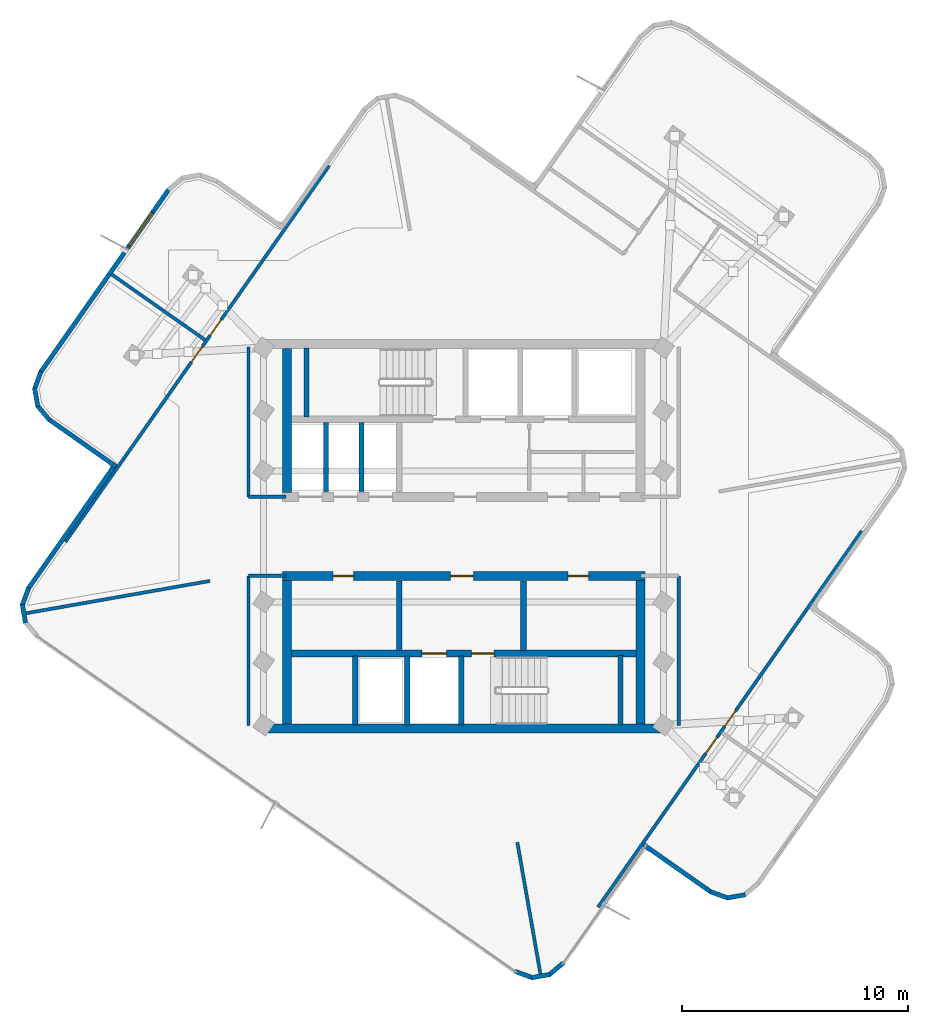
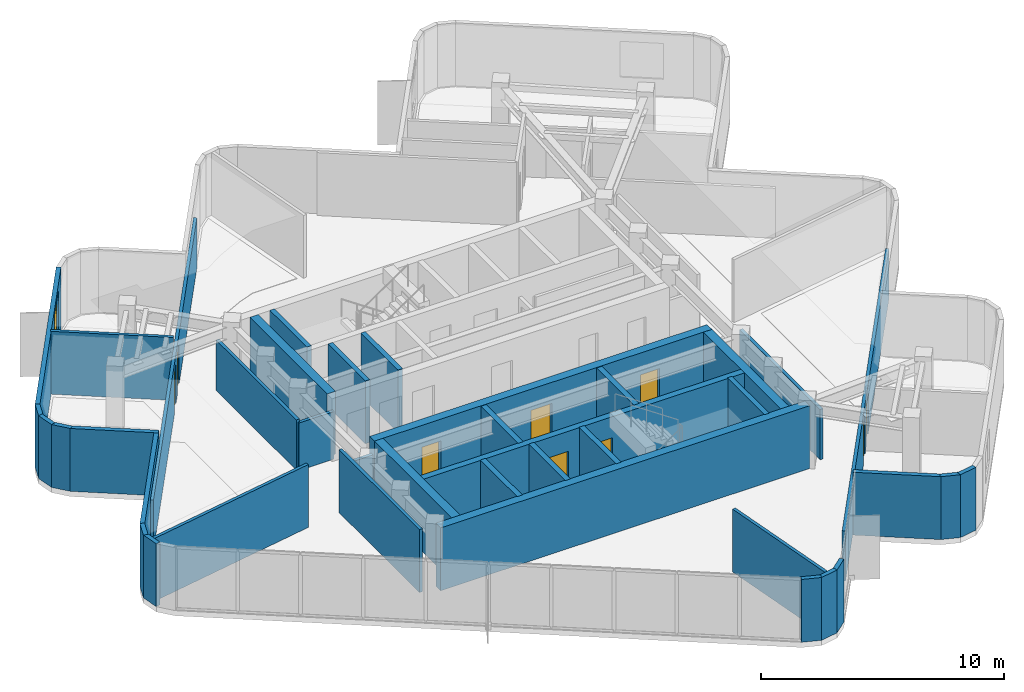
# One storey, part 4 of 8: 39 walls, 9 doors, 1 window, 10 openings.
"""IFC4 building model written with IfcOpenShell, lengths in metres."""

from ifc_helpers import new_model, si_unit, direction, frame, frame_2d, origin, place, context, subcontext, project, spatial, rectangle, extrude, material, layer, layer_set, type_object, element, fill, save


model = new_model("IFC4")

# Units and contexts
model_context = context("Model", 3, precision=1e-05, world=origin(), true_north=direction((0.0, 1.0)))
body_context = subcontext(model_context, "Body", "Model", "MODEL_VIEW")
ifc_project = project(units=[si_unit("LENGTHUNIT", "METRE"), si_unit("AREAUNIT", "SQUARE_METRE"), si_unit("VOLUMEUNIT", "CUBIC_METRE"), si_unit("PLANEANGLEUNIT", "RADIAN"), si_unit("MASSUNIT", "GRAM", prefix="KILO")], contexts=[model_context])

# Site, building, storey
site_placement = place(None, origin())
site = spatial("IfcSite", under=ifc_project, at=site_placement, CompositionType="ELEMENT")
building_placement = place(site_placement, origin())
building = spatial("IfcBuilding", under=site, at=building_placement, Name="Solmarez Civic Tower", CompositionType="ELEMENT")
storey_placement = place(building_placement, frame((0.0, 0.0, 264.60009765625)))
storey = spatial("IfcBuildingStorey", under=building, at=storey_placement, Name="L71", CompositionType="ELEMENT", Elevation=264.60009765625)

# Walls
ifc_material_1 = material(Name="Concrete C50/60", Category="concrete")
ifc_layer_1 = layer(ifc_material_1, 0.39990234375)
ifc_layer_set_1 = layer_set([ifc_layer_1], Name="Concrete C50/60")
wall_type_1 = type_object("IfcWallType", Name="WALL-CORE-400", PredefinedType="SHEAR", material=ifc_layer_set_1)
wall_1_placement = place(storey_placement, frame((-7.820068359375, 1.949951171875, 0.0), z_axis=(0.0, 0.0, 1.0), x_axis=(0.0, 1.0, 0.0)))
element("IfcWall", 1, at=wall_1_placement, inside=storey, type_object=wall_type_1, Name="L71 Split-Core Structural Wall NCW-W-L71", PredefinedType="SHEAR", context=body_context, shape_type="SweptSolid", body=[
    extrude(rectangle(XDim=6.360107421875, YDim=0.39990234375, at=frame_2d((3.18017578125, 0.0))), origin(), (0.0, 0.0, 1.0), 3.159912109375),
])
wall_2_placement = place(storey_placement, frame((8.780029296875, -8.510009765625, 0.0), z_axis=(0.0, 0.0, 1.0), x_axis=(-1.0, 0.0, 0.0)))
element("IfcWall", 2, at=wall_2_placement, inside=storey, type_object=wall_type_1, Name="L71 Split-Core Structural Wall SCW-S-L71", PredefinedType="SHEAR", context=body_context, shape_type="SweptSolid", body=[
    extrude(rectangle(XDim=17.56005859375, YDim=0.39990234375, at=frame_2d((8.780029296875, 0.0))), origin(), (0.0, 0.0, 1.0), 3.159912109375),
])

# Wall, openings, doors
wall_3_placement = place(storey_placement, frame((-8.02001953125, -1.75, 0.0), z_axis=(0.0, 0.0, 1.0), x_axis=(1.0, 0.0, 0.0)))
wall_3 = element("IfcWall", 3, at=wall_3_placement, inside=storey, type_object=wall_type_1, Name="L71 Split-Core Structural Wall SCW-N-L71", PredefinedType="SHEAR", context=body_context, shape_type="SweptSolid", body=[
    extrude(rectangle(XDim=16.0400390625, YDim=0.39990234375, at=frame_2d((8.02001953125, 0.0))), origin(), (0.0, 0.0, 1.0), 3.159912109375),
])
opening_1_placement = place(wall_3_placement, frame((7.449951171875, 0.0, 0.0)))
opening_1 = element("IfcOpeningElement", 4, at=opening_1_placement, cuts=wall_3, Name="Opening D-04", PredefinedType="OPENING", context=body_context, shape_type="SweptSolid", body=[
    extrude(rectangle(XDim=1.0, YDim=2.10009765625, at=frame_2d((0.5, 1.050048828125))), frame((0.0, 0.2099609375, 0.0), z_axis=(0.0, -1.0, 0.0), x_axis=(1.0, 0.0, 0.0)), (0.0, 0.0, 1.0), 0.419921875),
])
opening_2_placement = place(wall_3_placement, frame((12.64990234375, 0.0, 0.0)))
opening_2 = element("IfcOpeningElement", 5, at=opening_2_placement, cuts=wall_3, Name="Opening D-09", PredefinedType="OPENING", context=body_context, shape_type="SweptSolid", body=[
    extrude(rectangle(XDim=0.89990234375, YDim=2.06005859375, at=frame_2d((0.449951171875, 1.030029296875))), frame((0.0, 0.2099609375, 0.0), z_axis=(0.0, -1.0, 0.0), x_axis=(1.0, 0.0, 0.0)), (0.0, 0.0, 1.0), 0.419921875),
])
opening_3_placement = place(wall_3_placement, frame((2.25, 0.0, 0.0)))
opening_3 = element("IfcOpeningElement", 6, at=opening_3_placement, cuts=wall_3, Name="Opening D-09", PredefinedType="OPENING", context=body_context, shape_type="SweptSolid", body=[
    extrude(rectangle(XDim=0.89990234375, YDim=2.06005859375, at=frame_2d((0.449951171875, 1.030029296875))), frame((0.0, 0.2099609375, 0.0), z_axis=(0.0, -1.0, 0.0), x_axis=(1.0, 0.0, 0.0)), (0.0, 0.0, 1.0), 0.419921875),
])
ifc_material_2 = material(Name="Steel-Faced Acoustic Fire Door", Category="steel")
door_type_1 = type_object("IfcDoorType", Name="DOOR-FD60-1000", OperationType="NOTDEFINED", PredefinedType="DOOR", material=ifc_material_2)
door_1_placement = place(opening_1_placement, origin())
door_1 = element("IfcDoor", 7, at=door_1_placement, inside=storey, type_object=door_type_1, Name="L71 South Firefighting Lobby Door", OperationType="SINGLE_SWING_LEFT", OverallHeight=2.10009765625, OverallWidth=1.0, PredefinedType="DOOR", context=body_context, shape_type="SweptSolid", body=[
    extrude(rectangle(XDim=1.0, YDim=2.10009765625, at=frame_2d((0.5, 1.050048828125))), frame((0.0, 0.02490234375, 0.0), z_axis=(0.0, -1.0, 0.0), x_axis=(1.0, 0.0, 0.0)), (0.0, 0.0, 1.0), 0.050048828125),
])
fill(opening_1, door_1)
ifc_material_3 = material(Name="Fire-Rated Service Core Door", Category="wood")
door_type_2 = type_object("IfcDoorType", Name="DOOR-FD60-900", OperationType="NOTDEFINED", PredefinedType="DOOR", material=ifc_material_3)
door_2_placement = place(opening_2_placement, origin())
door_2 = element("IfcDoor", 8, at=door_2_placement, inside=storey, type_object=door_type_2, Name="L71 Freed Hoistway Mailroom Door", OperationType="SINGLE_SWING_LEFT", OverallHeight=2.06005859375, OverallWidth=0.89990234375, PredefinedType="DOOR", context=body_context, shape_type="SweptSolid", body=[
    extrude(rectangle(XDim=0.89990234375, YDim=2.06005859375, at=frame_2d((0.449951171875, 1.030029296875))), frame((0.0, 0.02490234375, 0.0), z_axis=(0.0, -1.0, 0.0), x_axis=(1.0, 0.0, 0.0)), (0.0, 0.0, 1.0), 0.050048828125),
])
fill(opening_2, door_2)
door_3_placement = place(opening_3_placement, origin())
door_3 = element("IfcDoor", 9, at=door_3_placement, inside=storey, type_object=door_type_2, Name="L71 Delegation Tea Pantry Door", OperationType="SINGLE_SWING_RIGHT", OverallHeight=2.06005859375, OverallWidth=0.89990234375, PredefinedType="DOOR", context=body_context, shape_type="SweptSolid", body=[
    extrude(rectangle(XDim=0.89990234375, YDim=2.06005859375, at=frame_2d((0.449951171875, 1.030029296875))), frame((0.0, 0.02490234375, 0.0), z_axis=(0.0, -1.0, 0.0), x_axis=(1.0, 0.0, 0.0)), (0.0, 0.0, 1.0), 0.050048828125),
])
fill(opening_3, door_3)

# Walls
for number, where, z_axis, x_axis, name in (
    (10, (-7.820068359375, -8.31005859375, 0.0), (0.0, 0.0, 1.0), (0.0, 1.0, 0.0), "L71 Split-Core Structural Wall SCW-W-L71"),
    (11, (7.820068359375, -1.949951171875, 0.0), (0.0, 0.0, 1.0), (0.0, -1.0, 0.0), "L71 Split-Core Structural Wall SCW-E-L71"),
):
    element("IfcWall", number, at=place(storey_placement, frame(where, z_axis=z_axis, x_axis=x_axis)), inside=storey, type_object=wall_type_1, Name=name, PredefinedType="SHEAR", context=body_context, shape_type="SweptSolid", body=[
        extrude(rectangle(XDim=6.360107421875, YDim=0.39990234375, at=frame_2d((3.18017578125, 0.0))), origin(), (0.0, 0.0, 1.0), 3.159912109375),
    ])
ifc_material_4 = material(Name="Precast concrete C40/50", Category="concrete")
ifc_layer_2 = layer(ifc_material_4, 0.199951171875)
ifc_layer_set_2 = layer_set([ifc_layer_2], Name="Precast concrete C40/50")
wall_type_2 = type_object("IfcWallType", Name="WALL-EXT-200", PredefinedType="SOLIDWALL", material=ifc_layer_set_2)
wall_4_placement = place(storey_placement, frame((4.422119140625, -18.8720703125, 0.0), z_axis=(0.0, 0.0, 1.0), x_axis=(-0.766020352528, -0.642816318642, 0.0)))
element("IfcWall", 12, at=wall_4_placement, inside=storey, type_object=wall_type_2, Name="L71 Exterior Precast Wall 3", PredefinedType="SOLIDWALL", context=body_context, shape_type="SweptSolid", body=[
    extrude(rectangle(XDim=0.838134765625, YDim=0.199951171875, at=frame_2d((0.4189453125, 0.0))), origin(), (0.0, 0.0, 1.0), 3.159912109375),
])
wall_5_placement = place(storey_placement, frame((3.823974609375, -19.39111328125, 0.0), z_axis=(0.0, 0.0, 1.0), x_axis=(-0.985118245285, -0.171877988141, 0.0)))
element("IfcWall", 13, at=wall_5_placement, inside=storey, type_object=wall_type_2, Name="L71 Exterior Precast Wall 4", PredefinedType="SOLIDWALL", context=body_context, shape_type="SweptSolid", body=[
    extrude(rectangle(XDim=0.8251953125, YDim=0.199951171875, at=frame_2d((0.41259765625, 0.0))), origin(), (0.0, 0.0, 1.0), 3.159912109375),
])
wall_6_placement = place(storey_placement, frame((3.05908203125, -19.5380859375, 0.0), z_axis=(0.0, 0.0, 1.0), x_axis=(-0.938939131905, 0.344083284363, 0.0)))
element("IfcWall", 14, at=wall_6_placement, inside=storey, type_object=wall_type_2, Name="L71 Exterior Precast Wall 5", PredefinedType="SOLIDWALL", context=body_context, shape_type="SweptSolid", body=[
    extrude(rectangle(XDim=0.837158203125, YDim=0.199951171875, at=frame_2d((0.41845703125, 0.0))), origin(), (0.0, 0.0, 1.0), 3.159912109375),
])
wall_7_placement = place(storey_placement, frame((-19.39111328125, -3.823974609375, 0.0), z_axis=(0.0, 0.0, 1.0), x_axis=(-0.171877988141, 0.985118245285, 0.0)))
element("IfcWall", 15, at=wall_7_placement, inside=storey, type_object=wall_type_2, Name="L71 Exterior Precast Wall 8", PredefinedType="SOLIDWALL", context=body_context, shape_type="SweptSolid", body=[
    extrude(rectangle(XDim=0.8251953125, YDim=0.199951171875, at=frame_2d((0.41259765625, 0.0))), origin(), (0.0, 0.0, 1.0), 3.159912109375),
])
wall_8_placement = place(storey_placement, frame((-19.5380859375, -3.05908203125, 0.0), z_axis=(0.0, 0.0, 1.0), x_axis=(0.344083284363, 0.938939131905, 0.0)))
element("IfcWall", 16, at=wall_8_placement, inside=storey, type_object=wall_type_2, Name="L71 Exterior Precast Wall 9", PredefinedType="SOLIDWALL", context=body_context, shape_type="SweptSolid", body=[
    extrude(rectangle(XDim=0.837158203125, YDim=0.199951171875, at=frame_2d((0.41845703125, 0.0))), origin(), (0.0, 0.0, 1.0), 3.159912109375),
])
wall_9_placement = place(storey_placement, frame((-19.27294921875, -2.31591796875, 0.0), z_axis=(0.0, 0.0, 1.0), x_axis=(0.574227764949, 0.818695592978, 0.0)))
element("IfcWall", 17, at=wall_9_placement, inside=storey, type_object=wall_type_2, Name="L71 Exterior Precast Wall 10", PredefinedType="SOLIDWALL", context=body_context, shape_type="SweptSolid", body=[
    extrude(rectangle(XDim=6.740966796875, YDim=0.199951171875, at=frame_2d((3.37060546875, 0.0))), origin(), (0.0, 0.0, 1.0), 3.159912109375),
])
wall_10_placement = place(storey_placement, frame((-15.383056640625, 3.092041015625, 0.0), z_axis=(0.0, 0.0, 1.0), x_axis=(-0.818664531158, 0.574272048269, 0.0)))
element("IfcWall", 18, at=wall_10_placement, inside=storey, type_object=wall_type_2, Name="L71 Exterior Precast Wall 13", PredefinedType="SOLIDWALL", context=body_context, shape_type="SweptSolid", body=[
    extrude(rectangle(XDim=3.641357421875, YDim=0.199951171875, at=frame_2d((1.82080078125, 0.0))), origin(), (0.0, 0.0, 1.0), 3.159912109375),
])
wall_11_placement = place(storey_placement, frame((-18.327880859375, 5.14990234375, 0.0), z_axis=(0.0, 0.0, 1.0), x_axis=(-0.642303159159, 0.766450684477, 0.0)))
element("IfcWall", 19, at=wall_11_placement, inside=storey, type_object=wall_type_2, Name="L71 Exterior Precast Wall 14", PredefinedType="SOLIDWALL", context=body_context, shape_type="SweptSolid", body=[
    extrude(rectangle(XDim=0.837646484375, YDim=0.199951171875, at=frame_2d((0.4189453125, 0.0))), origin(), (0.0, 0.0, 1.0), 3.159912109375),
])
wall_12_placement = place(storey_placement, frame((-18.845947265625, 5.748046875, 0.0), z_axis=(0.0, 0.0, 1.0), x_axis=(-0.172165058078, 0.985068115806, 0.0)))
element("IfcWall", 20, at=wall_12_placement, inside=storey, type_object=wall_type_2, Name="L71 Exterior Precast Wall 15", PredefinedType="SOLIDWALL", context=body_context, shape_type="SweptSolid", body=[
    extrude(rectangle(XDim=0.8251953125, YDim=0.199951171875, at=frame_2d((0.41259765625, 0.0))), origin(), (0.0, 0.0, 1.0), 3.159912109375),
])
wall_13_placement = place(storey_placement, frame((-18.992919921875, 6.512939453125, 0.0), z_axis=(0.0, 0.0, 1.0), x_axis=(0.343449935769, 0.93917098636, 0.0)))
element("IfcWall", 21, at=wall_13_placement, inside=storey, type_object=wall_type_2, Name="L71 Exterior Precast Wall 16", PredefinedType="SOLIDWALL", context=body_context, shape_type="SweptSolid", body=[
    extrude(rectangle(XDim=0.838134765625, YDim=0.199951171875, at=frame_2d((0.4189453125, 0.0))), origin(), (0.0, 0.0, 1.0), 3.159912109375),
])

# Wall, opening, window
wall_14_placement = place(storey_placement, frame((-18.72802734375, 7.257080078125, 0.0), z_axis=(0.0, 0.0, 1.0), x_axis=(0.574152395536, 0.818748451419, 0.0)))
wall_14 = element("IfcWall", 22, at=wall_14_placement, inside=storey, type_object=wall_type_2, Name="L71 Exterior Precast Wall 17", PredefinedType="SOLIDWALL", context=body_context, shape_type="SweptSolid", body=[
    extrude(rectangle(XDim=9.922607421875, YDim=0.199951171875, at=frame_2d((4.96142578125, 0.0))), origin(), (0.0, 0.0, 1.0), 3.159912109375),
])
opening_4_placement = place(wall_14_placement, frame((6.840087890625, 0.0, 0.85009765625)))
opening_4 = element("IfcOpeningElement", 23, at=opening_4_placement, cuts=wall_14, Name="Opening W-04", PredefinedType="OPENING", context=body_context, shape_type="SweptSolid", body=[
    extrude(rectangle(XDim=1.800048828125, YDim=2.0, at=frame_2d((0.89990234375, 1.0))), frame((0.0, 0.10986328125, 0.0), z_axis=(0.0, -1.0, 0.0), x_axis=(1.0, 0.0, 0.0)), (0.0, 0.0, 1.0), 0.219970703125),
])
ifc_material_5 = material(Name="Solar Control Bronze-Tinted Insulating Glass", Category="glass")
window_type = type_object("IfcWindowType", Name="WIN-1800X2000", PartitioningType="SINGLE_PANEL", PredefinedType="WINDOW", material=ifc_material_5)
window_placement = place(opening_4_placement, origin())
window = element("IfcWindow", 24, at=window_placement, inside=storey, type_object=window_type, Name="L71 Exterior Facade Window 17", OverallHeight=2.0, OverallWidth=1.800048828125, PartitioningType="SINGLE_PANEL", PredefinedType="WINDOW", context=body_context, shape_type="SweptSolid", body=[
    extrude(rectangle(XDim=1.800048828125, YDim=2.0, at=frame_2d((0.89990234375, 1.0))), frame((0.0, 0.030029296875, 0.0), z_axis=(0.0, -1.0, 0.0), x_axis=(1.0, 0.0, 0.0)), (0.0, 0.0, 1.0), 0.06005859375),
])
fill(opening_4, window)

# Walls
wall_15_placement = place(storey_placement, frame((12.466064453125, -15.863037109375, 0.0), z_axis=(0.0, 0.0, 1.0), x_axis=(-0.985118245285, -0.171877988141, 0.0)))
element("IfcWall", 25, at=wall_15_placement, inside=storey, type_object=wall_type_2, Name="L71 Exterior Precast Wall 55", PredefinedType="SOLIDWALL", context=body_context, shape_type="SweptSolid", body=[
    extrude(rectangle(XDim=0.8251953125, YDim=0.199951171875, at=frame_2d((0.41259765625, 0.0))), origin(), (0.0, 0.0, 1.0), 3.159912109375),
])
wall_16_placement = place(storey_placement, frame((11.700927734375, -16.010009765625, 0.0), z_axis=(0.0, 0.0, 1.0), x_axis=(-0.939042573482, 0.343800880145, 0.0)))
element("IfcWall", 26, at=wall_16_placement, inside=storey, type_object=wall_type_2, Name="L71 Exterior Precast Wall 56", PredefinedType="SOLIDWALL", context=body_context, shape_type="SweptSolid", body=[
    extrude(rectangle(XDim=0.837890625, YDim=0.199951171875, at=frame_2d((0.4189453125, 0.0))), origin(), (0.0, 0.0, 1.0), 3.159912109375),
])
wall_17_placement = place(storey_placement, frame((10.95703125, -15.7451171875, 0.0), z_axis=(0.0, 0.0, 1.0), x_axis=(-0.818576054501, 0.574398157202, 0.0)))
element("IfcWall", 27, at=wall_17_placement, inside=storey, type_object=wall_type_2, Name="L71 Exterior Precast Wall 57", PredefinedType="SOLIDWALL", context=body_context, shape_type="SweptSolid", body=[
    extrude(rectangle(XDim=3.640380859375, YDim=0.199951171875, at=frame_2d((1.8203125, 0.0))), origin(), (0.0, 0.0, 1.0), 3.159912109375),
])
ifc_material_6 = material(Name="Gypsum Board Acoustic Steel-Stud Partition", Category="steel")
ifc_layer_3 = layer(ifc_material_6, 0.14990234375)
ifc_layer_set_3 = layer_set([ifc_layer_3], Name="Gypsum Board Acoustic Steel-Stud Partition")
wall_type_3 = type_object("IfcWallType", Name="WALL-INT-FIRE-150", PredefinedType="PARTITIONING", material=ifc_layer_set_3)
wall_18_placement = place(storey_placement, frame((-9.52001953125, 1.75, 0.0), z_axis=(0.0, 0.0, 1.0), x_axis=(0.0, 1.0, 0.0)))
element("IfcWall", 28, at=wall_18_placement, inside=storey, type_object=wall_type_3, Name="L71 Interior Partition CHW-L71-WN1", PredefinedType="PARTITIONING", context=body_context, shape_type="SweptSolid", body=[
    extrude(rectangle(XDim=6.6298828125, YDim=0.14990234375, at=frame_2d((3.31494140625, 0.0))), origin(), (0.0, 0.0, 1.0), 2.52978515625),
])
wall_19_placement = place(storey_placement, frame((-7.85009765625, 1.75, 0.0), z_axis=(0.0, 0.0, 1.0), x_axis=(-1.0, 0.0, 0.0)))
element("IfcWall", 29, at=wall_19_placement, inside=storey, type_object=wall_type_3, Name="L71 Interior Partition CHW-L71-WN3", PredefinedType="PARTITIONING", context=body_context, shape_type="SweptSolid", body=[
    extrude(rectangle(XDim=1.669921875, YDim=0.14990234375, at=frame_2d((0.8349609375, 0.0))), origin(), (0.0, 0.0, 1.0), 2.389892578125),
])
wall_20_placement = place(storey_placement, frame((-9.52001953125, -8.3798828125, 0.0), z_axis=(0.0, 0.0, 1.0), x_axis=(0.0, 1.0, 0.0)))
element("IfcWall", 30, at=wall_20_placement, inside=storey, type_object=wall_type_3, Name="L71 Interior Partition CHW-L71-WS1", PredefinedType="PARTITIONING", context=body_context, shape_type="SweptSolid", body=[
    extrude(rectangle(XDim=6.6298828125, YDim=0.14990234375, at=frame_2d((3.31494140625, 0.0))), origin(), (0.0, 0.0, 1.0), 3.159912109375),
])
wall_21_placement = place(storey_placement, frame((-7.85009765625, -1.75, 0.0), z_axis=(0.0, 0.0, 1.0), x_axis=(-1.0, 0.0, 0.0)))
element("IfcWall", 31, at=wall_21_placement, inside=storey, type_object=wall_type_3, Name="L71 Interior Partition CHW-L71-WS3", PredefinedType="PARTITIONING", context=body_context, shape_type="SweptSolid", body=[
    extrude(rectangle(XDim=1.669921875, YDim=0.14990234375, at=frame_2d((0.8349609375, 0.0))), origin(), (0.0, 0.0, 1.0), 2.389892578125),
])
wall_22_placement = place(storey_placement, frame((9.52001953125, -8.3798828125, 0.0), z_axis=(0.0, 0.0, 1.0), x_axis=(0.0, 1.0, 0.0)))
element("IfcWall", 32, at=wall_22_placement, inside=storey, type_object=wall_type_3, Name="L71 Interior Partition CHW-L71-ES1", PredefinedType="PARTITIONING", context=body_context, shape_type="SweptSolid", body=[
    extrude(rectangle(XDim=6.6298828125, YDim=0.14990234375, at=frame_2d((3.31494140625, 0.0))), origin(), (0.0, 0.0, 1.0), 2.52978515625),
])
ifc_layer_4 = layer(ifc_material_6, 0.14501953125)
ifc_layer_set_4 = layer_set([ifc_layer_4], Name="Gypsum Board Acoustic Steel-Stud Partition")
wall_type_4 = type_object("IfcWallType", Name="WALL-INT-PART-150", PredefinedType="PARTITIONING", material=ifc_layer_set_4)
wall_23_placement = place(storey_placement, frame((-11.22802734375, -1.971923828125, 0.0), z_axis=(0.0, 0.0, 1.0), x_axis=(-0.984921322849, -0.17300285488, 0.0)))
element("IfcWall", 33, at=wall_23_placement, inside=storey, type_object=wall_type_4, Name="L71 Interior Partition PT-L71-QDIV-2", PredefinedType="PARTITIONING", context=body_context, shape_type="SweptSolid", body=[
    extrude(rectangle(XDim=8.294921875, YDim=0.14501953125, at=frame_2d((4.1474609375, 0.0))), origin(), (0.0, 0.0, 1.0), 3.159912109375),
])
wall_24_placement = place(storey_placement, frame((2.3779296875, -13.5400390625, 0.0), z_axis=(0.0, 0.0, 1.0), x_axis=(0.173019547247, -0.984918390665, 0.0)))
element("IfcWall", 34, at=wall_24_placement, inside=storey, type_object=wall_type_4, Name="L71 Interior Partition PT-L71-QDIV-3", PredefinedType="PARTITIONING", context=body_context, shape_type="SweptSolid", body=[
    extrude(rectangle(XDim=5.947509765625, YDim=0.14501953125, at=frame_2d((2.9736328125, 0.0))), origin(), (0.0, 0.0, 1.0), 3.159912109375),
])
wall_25_placement = place(storey_placement, frame((-11.43310546875, 8.68896484375, 0.0), z_axis=(0.0, 0.0, 1.0), x_axis=(-0.81868341552, 0.574245126363, 0.0)))
element("IfcWall", 35, at=wall_25_placement, inside=storey, type_object=wall_type_4, Name="L71 Interior Partition PT-L71-N-ALM", PredefinedType="PARTITIONING", context=body_context, shape_type="SweptSolid", body=[
    extrude(rectangle(XDim=5.084716796875, YDim=0.14501953125, at=frame_2d((2.54248046875, 0.0))), origin(), (0.0, 0.0, 1.0), 3.159912109375),
])

# Wall, openings, doors
wall_26_placement = place(storey_placement, frame((-17.625, -0.2451171875, 0.0), z_axis=(0.0, 0.0, 1.0), x_axis=(0.574126736534, 0.818766444352, 0.0)))
wall_26 = element("IfcWall", 36, at=wall_26_placement, inside=storey, type_object=wall_type_4, Name="L71 Interior Partition PT-L71-N-ENT", PredefinedType="PARTITIONING", context=body_context, shape_type="SweptSolid", body=[
    extrude(rectangle(XDim=20.34033203125, YDim=0.14501953125, at=frame_2d((10.170166015625, 0.0))), origin(), (0.0, 0.0, 1.0), 2.52978515625),
])
opening_5_placement = place(wall_26_placement, frame((11.159912109375, 0.0, 0.0)))
opening_5 = element("IfcOpeningElement", 37, at=opening_5_placement, cuts=wall_26, Name="Opening D-14", PredefinedType="OPENING", context=body_context, shape_type="SweptSolid", body=[
    extrude(rectangle(XDim=0.860107421875, YDim=2.0400390625, at=frame_2d((0.43017578125, 1.02001953125))), frame((0.0, 0.08251953125, 0.0), z_axis=(0.0, -1.0, 0.0), x_axis=(1.0, 0.0, 0.0)), (0.0, 0.0, 1.0), 0.1650390625),
])
opening_6_placement = place(wall_26_placement, frame((9.719970703125, 0.0, 0.0)))
opening_6 = element("IfcOpeningElement", 38, at=opening_6_placement, cuts=wall_26, Name="Opening D-14", PredefinedType="OPENING", context=body_context, shape_type="SweptSolid", body=[
    extrude(rectangle(XDim=0.860107421875, YDim=2.0400390625, at=frame_2d((0.43017578125, 1.02001953125))), frame((0.0, 0.08251953125, 0.0), z_axis=(0.0, -1.0, 0.0), x_axis=(1.0, 0.0, 0.0)), (0.0, 0.0, 1.0), 0.1650390625),
])
ifc_material_7 = material(Name="Timber Storage and Pantry Door", Category="wood")
door_type_3 = type_object("IfcDoorType", Name="DOOR-INT-850", OperationType="NOTDEFINED", PredefinedType="DOOR", material=ifc_material_7)
door_4_placement = place(opening_5_placement, origin())
door_4 = element("IfcDoor", 39, at=door_4_placement, inside=storey, type_object=door_type_3, Name="L71 Protocol Reception Room Second North Door", OperationType="SINGLE_SWING_RIGHT", OverallHeight=2.0400390625, OverallWidth=0.860107421875, PredefinedType="DOOR", context=body_context, shape_type="SweptSolid", body=[
    extrude(rectangle(XDim=0.860107421875, YDim=2.0400390625, at=frame_2d((0.43017578125, 1.02001953125))), frame((0.0, 0.02490234375, 0.0), z_axis=(0.0, -1.0, 0.0), x_axis=(1.0, 0.0, 0.0)), (0.0, 0.0, 1.0), 0.050048828125),
])
fill(opening_5, door_4)
door_5_placement = place(opening_6_placement, origin())
door_5 = element("IfcDoor", 40, at=door_5_placement, inside=storey, type_object=door_type_3, Name="L71 Diplomatic Sitting Lounge First North Door", OperationType="SINGLE_SWING_LEFT", OverallHeight=2.0400390625, OverallWidth=0.860107421875, PredefinedType="DOOR", context=body_context, shape_type="SweptSolid", body=[
    extrude(rectangle(XDim=0.860107421875, YDim=2.0400390625, at=frame_2d((0.43017578125, 1.02001953125))), frame((0.0, 0.02490234375, 0.0), z_axis=(0.0, -1.0, 0.0), x_axis=(1.0, 0.0, 0.0)), (0.0, 0.0, 1.0), 0.050048828125),
])
fill(opening_6, door_5)

wall_27_placement = place(storey_placement, frame((17.625, 0.2451171875, 0.0), z_axis=(0.0, 0.0, 1.0), x_axis=(-0.574126736534, -0.818766444352, 0.0)))
wall_27 = element("IfcWall", 41, at=wall_27_placement, inside=storey, type_object=wall_type_4, Name="L71 Interior Partition PT-L71-S-ENT", PredefinedType="PARTITIONING", context=body_context, shape_type="SweptSolid", body=[
    extrude(rectangle(XDim=20.34033203125, YDim=0.14501953125, at=frame_2d((10.170166015625, 0.0))), origin(), (0.0, 0.0, 1.0), 2.52978515625),
])
opening_7_placement = place(wall_27_placement, frame((11.159912109375, 0.0, 0.0)))
opening_7 = element("IfcOpeningElement", 42, at=opening_7_placement, cuts=wall_27, Name="Opening D-14", PredefinedType="OPENING", context=body_context, shape_type="SweptSolid", body=[
    extrude(rectangle(XDim=0.860107421875, YDim=2.0400390625, at=frame_2d((0.43017578125, 1.02001953125))), frame((0.0, 0.08251953125, 0.0), z_axis=(0.0, -1.0, 0.0), x_axis=(1.0, 0.0, 0.0)), (0.0, 0.0, 1.0), 0.1650390625),
])
opening_8_placement = place(wall_27_placement, frame((9.719970703125, 0.0, 0.0)))
opening_8 = element("IfcOpeningElement", 43, at=opening_8_placement, cuts=wall_27, Name="Opening D-14", PredefinedType="OPENING", context=body_context, shape_type="SweptSolid", body=[
    extrude(rectangle(XDim=0.860107421875, YDim=2.0400390625, at=frame_2d((0.43017578125, 1.02001953125))), frame((0.0, 0.08251953125, 0.0), z_axis=(0.0, -1.0, 0.0), x_axis=(1.0, 0.0, 0.0)), (0.0, 0.0, 1.0), 0.1650390625),
])
door_6_placement = place(opening_7_placement, origin())
door_6 = element("IfcDoor", 44, at=door_6_placement, inside=storey, type_object=door_type_3, Name="L71 Executive Boardroom Second South Door", OperationType="SINGLE_SWING_RIGHT", OverallHeight=2.0400390625, OverallWidth=0.860107421875, PredefinedType="DOOR", context=body_context, shape_type="SweptSolid", body=[
    extrude(rectangle(XDim=0.860107421875, YDim=2.0400390625, at=frame_2d((0.43017578125, 1.02001953125))), frame((0.0, 0.02490234375, 0.0), z_axis=(0.0, -1.0, 0.0), x_axis=(1.0, 0.0, 0.0)), (0.0, 0.0, 1.0), 0.050048828125),
])
fill(opening_7, door_6)
door_7_placement = place(opening_8_placement, origin())
door_7 = element("IfcDoor", 45, at=door_7_placement, inside=storey, type_object=door_type_3, Name="L71 Security Control Room First South Door", OperationType="SINGLE_SWING_LEFT", OverallHeight=2.0400390625, OverallWidth=0.860107421875, PredefinedType="DOOR", context=body_context, shape_type="SweptSolid", body=[
    extrude(rectangle(XDim=0.860107421875, YDim=2.0400390625, at=frame_2d((0.43017578125, 1.02001953125))), frame((0.0, 0.02490234375, 0.0), z_axis=(0.0, -1.0, 0.0), x_axis=(1.0, 0.0, 0.0)), (0.0, 0.0, 1.0), 0.050048828125),
])
fill(opening_8, door_7)

ifc_layer_5 = layer(ifc_material_1, 0.300048828125)
ifc_layer_set_5 = layer_set([ifc_layer_5], Name="Concrete C50/60")
wall_type_5 = type_object("IfcWallType", Name="WALL-STR-300", PredefinedType="SOLIDWALL", material=ifc_layer_set_5)
wall_28_placement = place(storey_placement, frame((-7.6201171875, -5.179931640625, 0.0), z_axis=(0.0, 0.0, 1.0), x_axis=(1.0, 0.0, 0.0)))
wall_28 = element("IfcWall", 46, at=wall_28_placement, inside=storey, type_object=wall_type_5, Name="L71 Split-Core Structural Wall SCW-M-L71", PredefinedType="SOLIDWALL", context=body_context, shape_type="SweptSolid", body=[
    extrude(rectangle(XDim=15.240234375, YDim=0.300048828125, at=frame_2d((7.6201171875, 0.0))), origin(), (0.0, 0.0, 1.0), 3.159912109375),
])
opening_9_placement = place(wall_28_placement, frame((5.77001953125, 0.0, 0.0)))
opening_9 = element("IfcOpeningElement", 47, at=opening_9_placement, cuts=wall_28, Name="Opening LD-02", PredefinedType="OPENING", context=body_context, shape_type="SweptSolid", body=[
    extrude(rectangle(XDim=1.10009765625, YDim=2.14990234375, at=frame_2d((0.550048828125, 1.074951171875))), frame((0.0, 0.159912109375, 0.0), z_axis=(0.0, -1.0, 0.0), x_axis=(1.0, 0.0, 0.0)), (0.0, 0.0, 1.0), 0.320068359375),
])
opening_10_placement = place(wall_28_placement, frame((7.969970703125, 0.0, 0.0)))
opening_10 = element("IfcOpeningElement", 48, at=opening_10_placement, cuts=wall_28, Name="Opening D-05", PredefinedType="OPENING", context=body_context, shape_type="SweptSolid", body=[
    extrude(rectangle(XDim=1.0, YDim=2.10009765625, at=frame_2d((0.5, 1.050048828125))), frame((0.0, 0.159912109375, 0.0), z_axis=(0.0, -1.0, 0.0), x_axis=(1.0, 0.0, 0.0)), (0.0, 0.0, 1.0), 0.320068359375),
])
ifc_material_8 = material(Name="Fire-Rated Stairwell Exit Door", Category="wood")
door_type_4 = type_object("IfcDoorType", Name="DOOR-FD90-1000", OperationType="NOTDEFINED", PredefinedType="DOOR", material=ifc_material_8)
door_8_placement = place(opening_10_placement, origin())
door_8 = element("IfcDoor", 49, at=door_8_placement, inside=storey, type_object=door_type_4, Name="L71 South Exit Stair Door ST-2", OperationType="SINGLE_SWING_LEFT", OverallHeight=2.10009765625, OverallWidth=1.0, PredefinedType="DOOR", context=body_context, shape_type="SweptSolid", body=[
    extrude(rectangle(XDim=1.0, YDim=2.10009765625, at=frame_2d((0.5, 1.050048828125))), frame((0.0, 0.02490234375, 0.0), z_axis=(0.0, -1.0, 0.0), x_axis=(1.0, 0.0, 0.0)), (0.0, 0.0, 1.0), 0.050048828125),
])
fill(opening_10, door_8)
ifc_material_9 = material(Name="Stainless Firefighting Lift Landing Sliding Door", Category="aluminium")
door_type_5 = type_object("IfcDoorType", Name="DOOR-LD-FF-1100", OperationType="DOUBLE_DOOR_SLIDING", PredefinedType="DOOR", material=ifc_material_9)
door_9_placement = place(opening_9_placement, origin())
door_9 = element("IfcDoor", 50, at=door_9_placement, inside=storey, type_object=door_type_5, Name="L71 Firefighting Lift Landing Door FFL-2", OperationType="DOUBLE_DOOR_SLIDING", OverallHeight=2.14990234375, OverallWidth=1.10009765625, PredefinedType="DOOR", context=body_context, shape_type="SweptSolid", body=[
    extrude(rectangle(XDim=1.10009765625, YDim=2.14990234375, at=frame_2d((0.550048828125, 1.074951171875))), frame((0.0, 0.02490234375, 0.0), z_axis=(0.0, -1.0, 0.0), x_axis=(1.0, 0.0, 0.0)), (0.0, 0.0, 1.0), 0.050048828125),
])
fill(opening_9, door_9)

# Walls
for number, where, z_axis, x_axis, name in (
    (51, (-6.949951171875, 5.280029296875, 0.0), (0.0, 0.0, 1.0), (0.0, 1.0, 0.0), "L71 Split-Core Structural Wall SHW-NW-L71"),
    (52, (6.949951171875, -8.340087890625, 0.0), (0.0, 0.0, 1.0), (0.0, 1.0, 0.0), "L71 Split-Core Structural Wall SHW-SE-L71"),
):
    element("IfcWall", number, at=place(storey_placement, frame(where, z_axis=z_axis, x_axis=x_axis)), inside=storey, type_object=wall_type_5, Name=name, PredefinedType="SOLIDWALL", context=body_context, shape_type="SweptSolid", body=[
        extrude(rectangle(XDim=3.06005859375, YDim=0.219970703125, at=frame_2d((1.530029296875, 0.0))), origin(), (0.0, 0.0, 1.0), 3.159912109375),
    ])
for number, where, z_axis, x_axis, name in (
    (53, (-0.10009765625, -8.340087890625, 0.0), (0.0, 0.0, 1.0), (0.0, 1.0, 0.0), "L71 Split-Core Structural Wall SHW-S1-L71"),
    (54, (-2.5, -8.340087890625, 0.0), (0.0, 0.0, 1.0), (0.0, 1.0, 0.0), "L71 Split-Core Structural Wall SHW-S2-L71"),
    (55, (-4.800048828125, -8.340087890625, 0.0), (0.0, 0.0, 1.0), (0.0, 1.0, 0.0), "L71 Split-Core Structural Wall SHW-S3-L71"),
):
    element("IfcWall", number, at=place(storey_placement, frame(where, z_axis=z_axis, x_axis=x_axis)), inside=storey, type_object=wall_type_5, Name=name, PredefinedType="SOLIDWALL", context=body_context, shape_type="SweptSolid", body=[
        extrude(rectangle(XDim=3.0400390625, YDim=0.25, at=frame_2d((1.52001953125, 0.0))), origin(), (0.0, 0.0, 1.0), 3.159912109375),
    ])
for number, where, z_axis, x_axis, name in (
    (56, (-2.85009765625, -5.050048828125, 0.0), (0.0, 0.0, 1.0), (0.0, 1.0, 0.0), "L71 Split-Core Structural Wall SHW-SL1-L71"),
    (57, (2.64990234375, -5.050048828125, 0.0), (0.0, 0.0, 1.0), (0.0, 1.0, 0.0), "L71 Split-Core Structural Wall SHW-SL2-L71"),
):
    element("IfcWall", number, at=place(storey_placement, frame(where, z_axis=z_axis, x_axis=x_axis)), inside=storey, type_object=wall_type_5, Name=name, PredefinedType="SOLIDWALL", context=body_context, shape_type="SweptSolid", body=[
        extrude(rectangle(XDim=3.070068359375, YDim=0.25, at=frame_2d((1.53515625, 0.0))), origin(), (0.0, 0.0, 1.0), 3.159912109375),
    ])
for number, where, z_axis, x_axis, name in (
    (58, (-6.080078125, 1.97998046875, 0.0), (0.0, 0.0, 1.0), (0.0, 1.0, 0.0), "L71 Split-Core Structural Wall SHW-PLH-L71-1"),
    (59, (-4.52001953125, 1.97998046875, 0.0), (0.0, 0.0, 1.0), (0.0, 1.0, 0.0), "L71 Split-Core Structural Wall SHW-PLH-L71-2"),
):
    element("IfcWall", number, at=place(storey_placement, frame(where, z_axis=z_axis, x_axis=x_axis)), inside=storey, type_object=wall_type_5, Name=name, PredefinedType="SOLIDWALL", context=body_context, shape_type="SweptSolid", body=[
        extrude(rectangle(XDim=3.070068359375, YDim=0.219970703125, at=frame_2d((1.53515625, 0.0))), origin(), (0.0, 0.0, 1.0), 3.159912109375),
    ])

save(model, "model.ifc")
